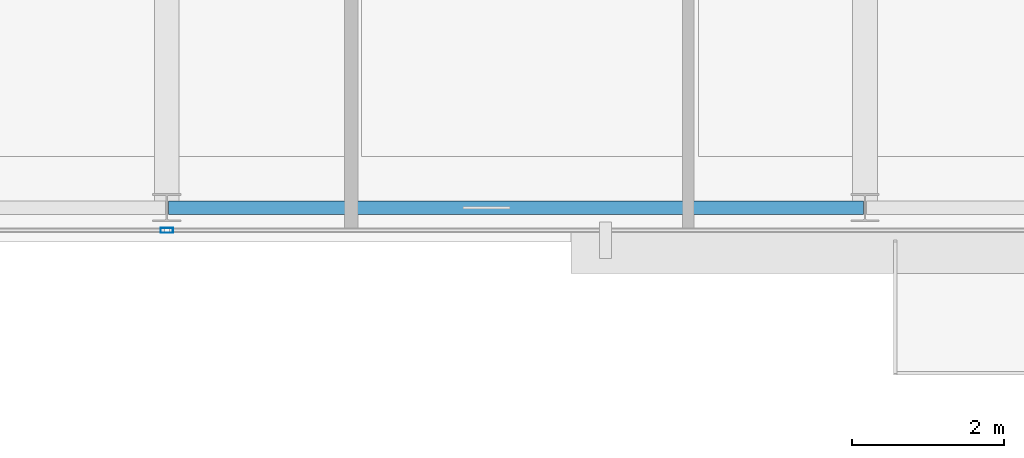
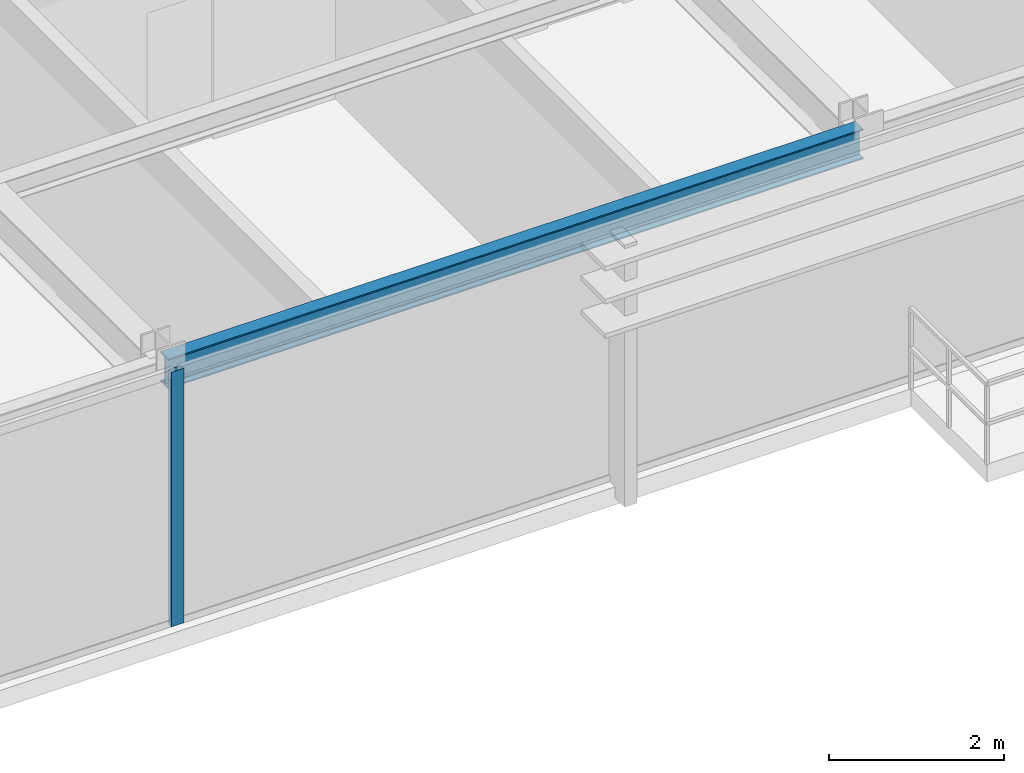
# One storey, part 7 of 30: 1 beam, 1 member, 1 element without a shape of its own.
"""IFC4 building model written with IfcOpenShell, lengths in metres."""

from ifc_helpers import new_model, si_unit, direction, frame, origin, origin_2d, place, context, subcontext, project, spatial, hollow_rectangle, i_section, extrude, source, transform, mapped, material, layer, layer_set, material_profile, profile_set, type_object, type_shapes, element, aggregate, save


model = new_model("IFC4")

# Units and contexts
model_context = context("Model", 3, precision=1e-05, world=origin(), true_north=direction((0.0, 1.0)))
body_context = subcontext(model_context, "Body", "Model", "MODEL_VIEW")
ifc_project = project(units=[si_unit("LENGTHUNIT", "METRE"), si_unit("AREAUNIT", "SQUARE_METRE"), si_unit("VOLUMEUNIT", "CUBIC_METRE"), si_unit("PLANEANGLEUNIT", "RADIAN"), si_unit("MASSUNIT", "GRAM", prefix="KILO")], contexts=[model_context])

# Site, building, storey
site_placement = place(None, origin())
site = spatial("IfcSite", under=ifc_project, at=site_placement, CompositionType="ELEMENT")
building_placement = place(site_placement, origin())
building = spatial("IfcBuilding", under=site, at=building_placement, Name="Varnel Quay Broadcast Tower", CompositionType="ELEMENT")
storey_placement = place(building_placement, frame((0.0, 0.0, 168.60009765625)))
storey = spatial("IfcBuildingStorey", under=building, at=storey_placement, Name="L41", CompositionType="ELEMENT", Elevation=168.60009765625)

# Beam
ifc_material_1 = material(Name="Structural Steel CSA G40.21 350W", Category="steel")
ifc_material_profile_1 = material_profile(ifc_material_1, i_section(OverallWidth=0.180908203125, OverallDepth=0.4169921875, WebThickness=0.010986328125, FlangeThickness=0.018310546875, FilletRadius=0.011962890625, at=origin_2d()), Name="W410X85")
ifc_profile_set_1 = profile_set([ifc_material_profile_1], Name="Structural Steel CSA G40.21 350W")
beam_type = type_object("IfcBeamType", Name="Beam_W410X85", PredefinedType="SPANDREL", material=ifc_profile_set_1)
shared_shape_1 = source(origin(), body_context, "Body", "SweptSolid", [
    extrude(i_section(OverallWidth=0.180908203125, OverallDepth=0.4169921875, WebThickness=0.010986328125, FlangeThickness=0.018310546875, FilletRadius=0.011962890625, at=origin_2d()), origin(), (0.0, 0.0, 1.0), 9.159912109375),
])
type_shapes(beam_type, [shared_shape_1])
beam_placement = place(storey_placement, frame((34.02001953125, 7.64990234375, 3.34130859375), z_axis=(1.0, 0.0, 0.0), x_axis=(0.0, 1.0, 0.0)))
element("IfcBeam", 1, at=beam_placement, inside=storey, type_object=beam_type, Name="L41 South Spandrel TC-S3-TC-S4", PredefinedType="SPANDREL", context=body_context, shape_type="MappedRepresentation", body=[
    mapped(shared_shape_1, transform((0.0, 0.0, 0.0), x_axis=(1.0, 0.0, 0.0), y_axis=(0.0, 1.0, 0.0), z_axis=(0.0, 0.0, 1.0), scale=1.0)),
])

# Curtain wall, member
ifc_material_2 = material(Name="Anodised Bronze Aluminium 6063-T6", Category="aluminium")
ifc_layer = layer(ifc_material_2, 0.18994140625, Name="Anodised Bronze Aluminium 6063-T6")
ifc_layer_set = layer_set([ifc_layer], Name="Anodised Bronze Aluminium 6063-T6")
curtain_wall_type = type_object("IfcCurtainWallType", Name="CW_UpperTower", PredefinedType="NOTDEFINED", material=ifc_layer_set)
curtain_wall_placement = place(storey_placement, origin())
curtain_wall = element("IfcCurtainWall", 2, at=curtain_wall_placement, inside=storey, type_object=curtain_wall_type, Name="L41 South Unitised Curtain Wall 2", PredefinedType="NOTDEFINED")
ifc_material_profile_2 = material_profile(ifc_material_2, hollow_rectangle(XDim=0.06494140625, YDim=0.1650390625, WallThickness=0.00341796875, at=origin_2d()), Name="ALU65X165X3.5")
ifc_profile_set_2 = profile_set([ifc_material_profile_2], Name="Anodised Bronze Aluminium 6063-T6")
member_type = type_object("IfcMemberType", Name="Mull_CWS-03", PredefinedType="MULLION", material=ifc_profile_set_2)
shared_shape_2 = source(origin(), body_context, "Body", "SweptSolid", [
    extrude(hollow_rectangle(XDim=0.06494140625, YDim=0.1650390625, WallThickness=0.00341796875, at=origin_2d()), origin(), (0.0, 0.0, 1.0), 3.5498046875),
])
type_shapes(member_type, [shared_shape_2])
member_placement = place(storey_placement, frame((34.0, 7.35009765625, 0.0), z_axis=(0.0, 0.0, 1.0), x_axis=(0.0, 1.0, 0.0)))
member = element("IfcMember", 3, at=member_placement, type_object=member_type, Name="CWS-03 mullion 2", PredefinedType="MULLION", context=body_context, shape_type="MappedRepresentation", body=[
    mapped(shared_shape_2, transform((0.0, 0.0, 0.0), x_axis=(1.0, 0.0, 0.0), y_axis=(0.0, 1.0, 0.0), z_axis=(0.0, 0.0, 1.0), scale=1.0)),
])
aggregate(curtain_wall, [member])

save(model, "model.ifc")
